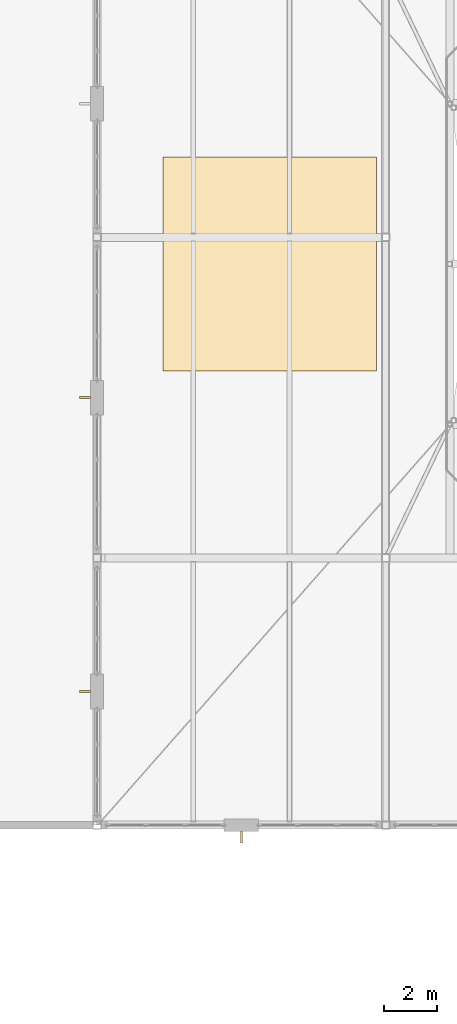
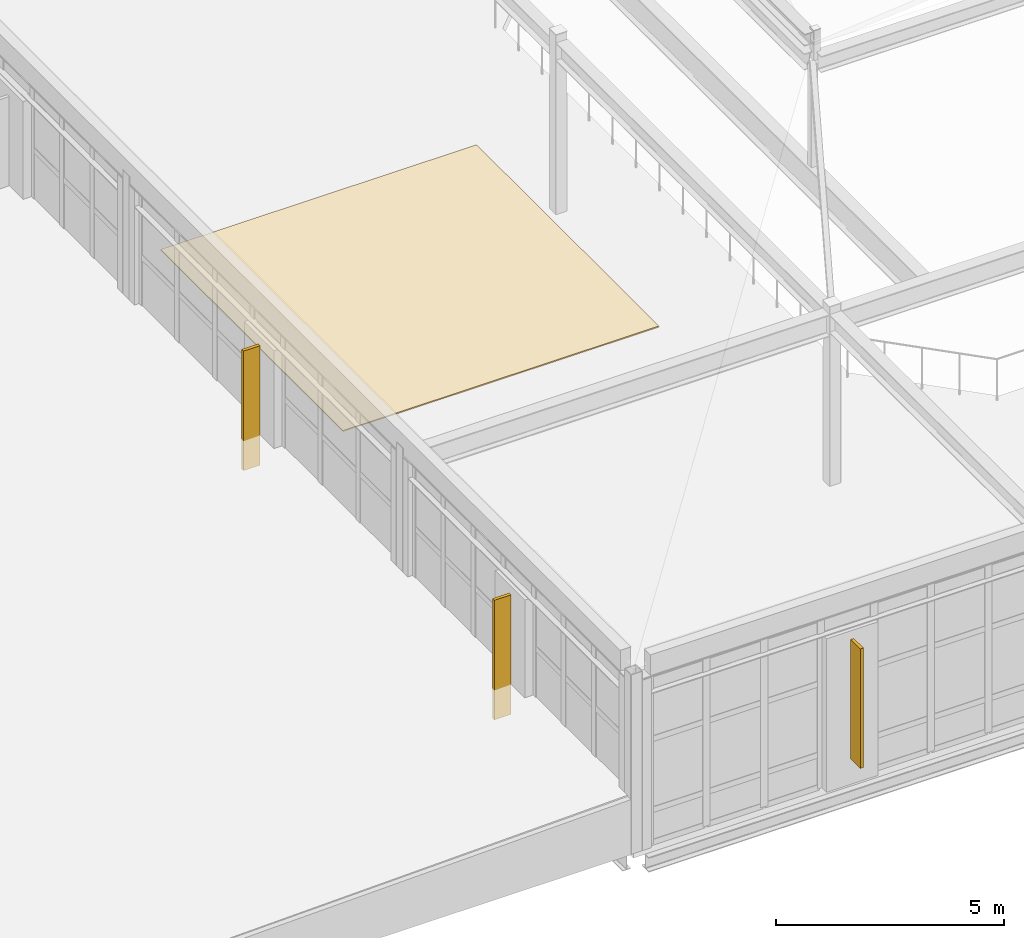
# One storey, part 79 of 86: 3 shading devices, 1 covering.
"""IFC4 building model written with IfcOpenShell, lengths in metres."""

from ifc_helpers import new_model, si_unit, direction, frame, origin, origin_2d, place, context, subcontext, project, spatial, rectangle, extrude, material, layer, layer_set, type_object, element, save


model = new_model("IFC4")

# Units and contexts
model_context = context("Model", 3, precision=1e-05, world=origin(), true_north=direction((0.0, 1.0)))
body_context = subcontext(model_context, "Body", "Model", "MODEL_VIEW")
ifc_project = project(units=[si_unit("LENGTHUNIT", "METRE"), si_unit("AREAUNIT", "SQUARE_METRE"), si_unit("VOLUMEUNIT", "CUBIC_METRE"), si_unit("PLANEANGLEUNIT", "RADIAN"), si_unit("MASSUNIT", "GRAM", prefix="KILO")], contexts=[model_context])

# Site, building, storey
site_placement = place(None, origin())
site = spatial("IfcSite", under=ifc_project, at=site_placement, CompositionType="ELEMENT")
building_placement = place(site_placement, origin())
building = spatial("IfcBuilding", under=site, at=building_placement, Name="Tasgan Crest Museum", CompositionType="ELEMENT")
storey_placement = place(building_placement, frame((0.0, 0.0, 24.0)))
storey = spatial("IfcBuildingStorey", under=building, at=storey_placement, Name="L04", CompositionType="ELEMENT", Elevation=24.0)

# Covering
ifc_material_1 = material(Name="Polished Granite Terrazzo", Category="masonry")
ifc_layer = layer(ifc_material_1, 0.030029296875, Name="COV-FLOOR-TERRAZZO")
ifc_layer_set = layer_set([ifc_layer], Name="Polished Granite Terrazzo")
covering_type = type_object("IfcCoveringType", Name="COV-FLOOR-TERRAZZO", PredefinedType="FLOORING", material=ifc_layer_set)
covering_placement = place(storey_placement, frame((60.4599609375, 61.0, 0.0), z_axis=(0.0, 0.0, 1.0), x_axis=(1.0, 0.0, 0.0)))
element("IfcCovering", 1, at=covering_placement, inside=storey, type_object=covering_type, Name="Botanical Winter-Garden Promenade floor finish", PredefinedType="FLOORING", context=body_context, shape_type="SweptSolid", body=[
    extrude(rectangle(XDim=8.0, YDim=8.0, at=origin_2d()), origin(), (0.0, 0.0, 1.0), 0.030029296875),
])

# Shading devices
ifc_material_2 = material(Name="Anodised Bronze Aluminium", Category="aluminium")
shading_device_type = type_object("IfcShadingDeviceType", Name="SH-FIN-V400", PredefinedType="JALOUSIE", material=ifc_material_2)
for number, where, z_axis, x_axis, name in (
    (2, (53.550048828125, 56.0, 0.68017578125), (0.0, 0.0, 1.0), (0.0, -1.0, 0.0), "Facade pier solar fin L04"),
    (3, (53.550048828125, 45.0, 0.68017578125), (0.0, 0.0, 1.0), (0.0, -1.0, 0.0), "Facade pier solar fin L04"),
    (4, (59.39990234375, 39.550048828125, 0.68017578125), (0.0, 0.0, 1.0), (1.0, 0.0, 0.0), "Facade pier solar fin L04"),
):
    element("IfcShadingDevice", number, at=place(storey_placement, frame(where, z_axis=z_axis, x_axis=x_axis)), inside=storey, type_object=shading_device_type, Name=name, PredefinedType="JALOUSIE", context=body_context, shape_type="SweptSolid", body=[
        extrude(rectangle(XDim=0.080078125, YDim=0.419921875, at=origin_2d()), origin(), (0.0, 0.0, 1.0), 3.199951171875),
    ])

save(model, "model.ifc")
